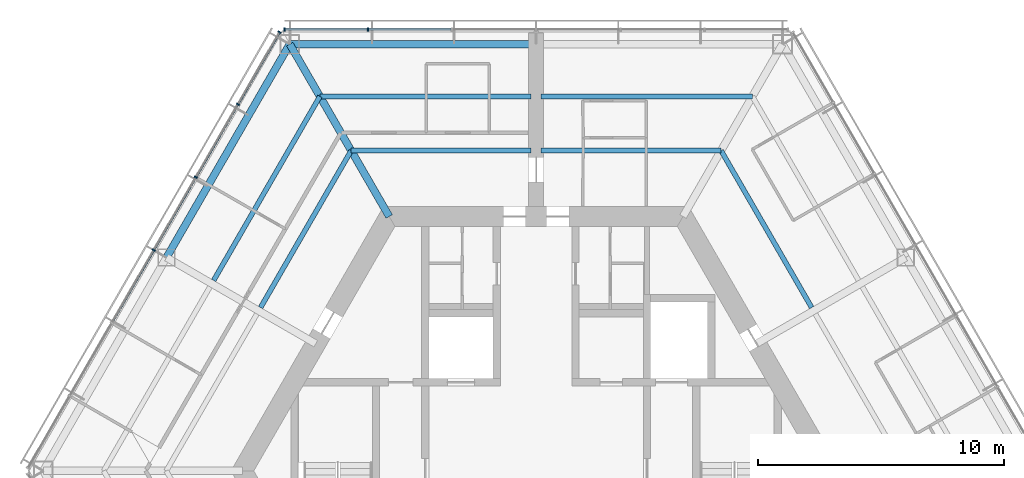
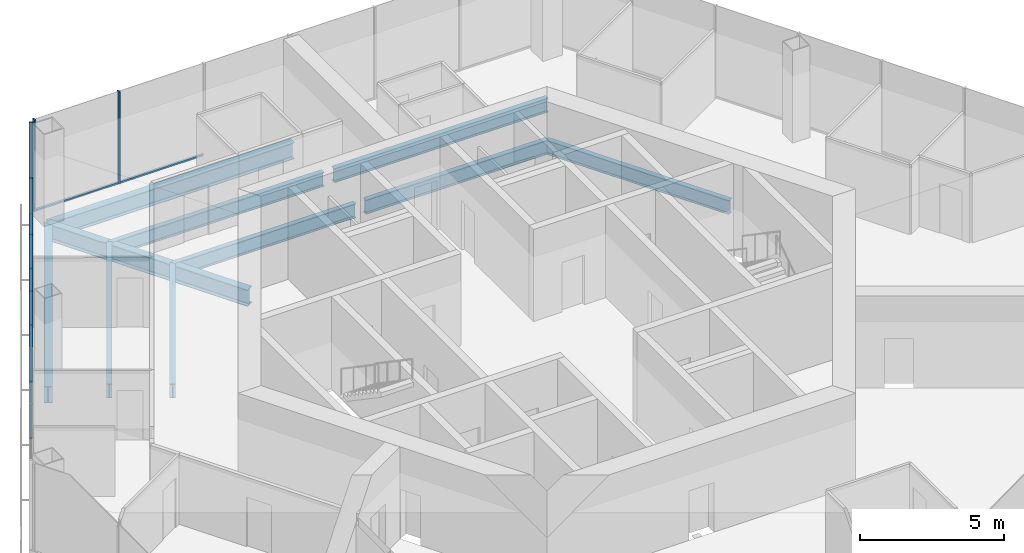
# One storey, part 6 of 16: 12 members, 10 beams, 2 elements without a shape of their own.
"""IFC4 building model written with IfcOpenShell, lengths in metres."""

from ifc_helpers import new_model, si_unit, direction, frame, origin, origin_2d, place, context, subcontext, project, spatial, rectangle, i_section, extrude, material, material_profile, profile_set, type_object, element, aggregate, save


model = new_model("IFC4")

# Units and contexts
model_context = context("Model", 3, precision=1e-05, world=origin(), true_north=direction((0.0, 1.0)))
body_context = subcontext(model_context, "Body", "Model", "MODEL_VIEW")
ifc_project = project(units=[si_unit("LENGTHUNIT", "METRE"), si_unit("AREAUNIT", "SQUARE_METRE"), si_unit("VOLUMEUNIT", "CUBIC_METRE"), si_unit("PLANEANGLEUNIT", "RADIAN"), si_unit("MASSUNIT", "GRAM", prefix="KILO")], contexts=[model_context])

# Site, building, storey
site_placement = place(None, origin())
site = spatial("IfcSite", under=ifc_project, at=site_placement, CompositionType="ELEMENT")
building_placement = place(site_placement, origin())
building = spatial("IfcBuilding", under=site, at=building_placement, Name="Kasaneha Research Tower", CompositionType="ELEMENT")
storey_placement = place(building_placement, frame((0.0, 0.0, 251.800048828125)))
storey = spatial("IfcBuildingStorey", under=building, at=storey_placement, Name="L63", CompositionType="ELEMENT", Elevation=251.800048828125)

# Beams
ifc_material_1 = material(Name="Steel SN490B", Category="steel")
ifc_material_profile_1 = material_profile(ifc_material_1, i_section(OverallWidth=0.199951171875, OverallDepth=0.60009765625, WebThickness=0.010986328125, FlangeThickness=0.01708984375, FilletRadius=0.012939453125, at=origin_2d()), Name="H-600x200x11x17")
ifc_profile_set_1 = profile_set([ifc_material_profile_1], Name="Steel SN490B")
beam_type_1 = type_object("IfcBeamType", Name="B1-3 secondary beam H-600x200x11x17", PredefinedType="JOIST", material=ifc_profile_set_1)
beam_1_placement = place(storey_placement, frame((7.505615234375, 13.0, -0.449951171875), z_axis=(0.499994443168, -0.866028611999, 0.0), x_axis=(0.866028611999, 0.499994443168, 0.0)))
element("IfcBeam", 1, at=beam_1_placement, inside=storey, type_object=beam_type_1, Name="Secondary beam RS030R1 L63", PredefinedType="JOIST", context=body_context, shape_type="SweptSolid", body=[
    extrude(i_section(OverallWidth=0.199951171875, OverallDepth=0.60009765625, WebThickness=0.010986328125, FlangeThickness=0.01708984375, FilletRadius=0.012939453125, at=origin_2d()), origin(), (0.0, 0.0, 1.0), 7.35546875),
])
beam_2_placement = place(storey_placement, frame((7.505615234375, 13.0, -0.449951171875), z_axis=(-1.0, 0.0, 0.0), x_axis=(0.0, -1.0, 0.0)))
element("IfcBeam", 2, at=beam_2_placement, inside=storey, type_object=beam_type_1, Name="Secondary beam RS090L1 L63", PredefinedType="JOIST", context=body_context, shape_type="SweptSolid", body=[
    extrude(i_section(OverallWidth=0.199951171875, OverallDepth=0.60009765625, WebThickness=0.010986328125, FlangeThickness=0.01708984375, FilletRadius=0.012939453125, at=origin_2d()), origin(), (0.0, 0.0, 1.0), 7.3056640625),
])
beam_3_placement = place(storey_placement, frame((8.775634765625, 15.199951171875, -0.449951171875), z_axis=(-1.0, 0.0, 0.0), x_axis=(0.0, -1.0, 0.0)))
element("IfcBeam", 3, at=beam_3_placement, inside=storey, type_object=beam_type_1, Name="Secondary beam RS090L2 L63", PredefinedType="JOIST", context=body_context, shape_type="SweptSolid", body=[
    extrude(i_section(OverallWidth=0.199951171875, OverallDepth=0.60009765625, WebThickness=0.010986328125, FlangeThickness=0.01708984375, FilletRadius=0.012939453125, at=origin_2d()), origin(), (0.0, 0.0, 1.0), 8.57568359375),
])
beam_4_placement = place(storey_placement, frame((-7.505615234375, 13.0, -0.449951171875), z_axis=(1.0, 0.0, 0.0), x_axis=(0.0, 1.0, 0.0)))
element("IfcBeam", 4, at=beam_4_placement, inside=storey, type_object=beam_type_1, Name="Secondary beam RS090R1 L63", PredefinedType="JOIST", context=body_context, shape_type="SweptSolid", body=[
    extrude(i_section(OverallWidth=0.199951171875, OverallDepth=0.60009765625, WebThickness=0.010986328125, FlangeThickness=0.01708984375, FilletRadius=0.012939453125, at=origin_2d()), origin(), (0.0, 0.0, 1.0), 7.3056640625),
])
beam_5_placement = place(storey_placement, frame((-8.775634765625, 15.199951171875, -0.449951171875), z_axis=(1.0, 0.0, 0.0), x_axis=(0.0, 1.0, 0.0)))
element("IfcBeam", 5, at=beam_5_placement, inside=storey, type_object=beam_type_1, Name="Secondary beam RS090R2 L63", PredefinedType="JOIST", context=body_context, shape_type="SweptSolid", body=[
    extrude(i_section(OverallWidth=0.199951171875, OverallDepth=0.60009765625, WebThickness=0.010986328125, FlangeThickness=0.01708984375, FilletRadius=0.012939453125, at=origin_2d()), origin(), (0.0, 0.0, 1.0), 8.57568359375),
])
beam_6_placement = place(storey_placement, frame((-7.505615234375, 13.0, -0.449951171875), z_axis=(-0.499994443168, -0.866028611999, 0.0), x_axis=(0.866028611999, -0.499994443168, 0.0)))
element("IfcBeam", 6, at=beam_6_placement, inside=storey, type_object=beam_type_1, Name="Secondary beam RS150L1 L63", PredefinedType="JOIST", context=body_context, shape_type="SweptSolid", body=[
    extrude(i_section(OverallWidth=0.199951171875, OverallDepth=0.60009765625, WebThickness=0.010986328125, FlangeThickness=0.01708984375, FilletRadius=0.012939453125, at=origin_2d()), origin(), (0.0, 0.0, 1.0), 7.35546875),
])
beam_7_placement = place(storey_placement, frame((-8.775634765625, 15.199951171875, -0.449951171875), z_axis=(-0.500017275495, -0.866015429543, 0.0), x_axis=(0.866015429543, -0.500017275495, 0.0)))
element("IfcBeam", 7, at=beam_7_placement, inside=storey, type_object=beam_type_1, Name="Secondary beam RS150L2 L63", PredefinedType="JOIST", context=body_context, shape_type="SweptSolid", body=[
    extrude(i_section(OverallWidth=0.199951171875, OverallDepth=0.60009765625, WebThickness=0.010986328125, FlangeThickness=0.01708984375, FilletRadius=0.012939453125, at=origin_2d()), origin(), (0.0, 0.0, 1.0), 8.625732421875),
])

# Curtain wall, members
ifc_material_2 = material(Name="Glass and aluminium", Category="aluminium")
curtain_wall_type = type_object("IfcCurtainWallType", Name="High-rise office curtain wall", PredefinedType="USERDEFINED", material=ifc_material_2)
curtain_wall_1_placement = place(storey_placement, origin())
curtain_wall_1 = element("IfcCurtainWall", 8, at=curtain_wall_1_placement, inside=storey, type_object=curtain_wall_type, Name="CW-O3 L63 run 02a", ObjectType="UNITISED CURTAIN WALL", PredefinedType="USERDEFINED")
ifc_material_3 = material(Name="Aluminium 6063-T6", Category="aluminium")
ifc_material_profile_2 = material_profile(ifc_material_3, rectangle(XDim=0.06005859375, YDim=0.139892578125, at=origin_2d()), Name="CW-O3 mullion 60x140")
ifc_profile_set_2 = profile_set([ifc_material_profile_2], Name="Aluminium 6063-T6")
member_type_1 = type_object("IfcMemberType", Name="CW-O3 mullion", PredefinedType="MULLION", material=ifc_profile_set_2)
member_1_placement = place(storey_placement, frame((-6.8310546875, 17.92041015625, 0.0), z_axis=(0.0, 0.0, 1.0), x_axis=(-1.0, 0.0, 0.0)))
member_1 = element("IfcMember", 9, at=member_1_placement, type_object=member_type_1, Name="CW-O3 mullion 6", PredefinedType="MULLION", context=body_context, shape_type="SweptSolid", body=[
    extrude(rectangle(XDim=0.06005859375, YDim=0.139892578125, at=origin_2d()), origin(), (0.0, 0.0, 1.0), 3.89990234375),
])
member_2_placement = place(storey_placement, frame((-10.21630859375, 17.92041015625, 0.0), z_axis=(0.0, 0.0, 1.0), x_axis=(-1.0, 0.0, 0.0)))
member_2 = element("IfcMember", 10, at=member_2_placement, type_object=member_type_1, Name="CW-O3 mullion 7", PredefinedType="MULLION", context=body_context, shape_type="SweptSolid", body=[
    extrude(rectangle(XDim=0.06005859375, YDim=0.139892578125, at=origin_2d()), origin(), (0.0, 0.0, 1.0), 3.89990234375),
])

curtain_wall_2_placement = place(storey_placement, origin())
curtain_wall_2 = element("IfcCurtainWall", 11, at=curtain_wall_2_placement, inside=storey, type_object=curtain_wall_type, Name="CW-O3 L63 run 03a", ObjectType="UNITISED CURTAIN WALL", PredefinedType="USERDEFINED")
member_3_placement = place(storey_placement, frame((-10.411376953125, 17.807861328125, 0.0), z_axis=(0.0, 0.0, 1.0), x_axis=(-0.499999995722, -0.866025406254, 0.0)))
member_3 = element("IfcMember", 12, at=member_3_placement, type_object=member_type_1, Name="CW-O3 mullion 1", PredefinedType="MULLION", context=body_context, shape_type="SweptSolid", body=[
    extrude(rectangle(XDim=0.06005859375, YDim=0.139892578125, at=origin_2d()), origin(), (0.0, 0.0, 1.0), 3.89990234375),
])
member_4_placement = place(storey_placement, frame((-12.104248046875, 14.8759765625, 0.0), z_axis=(0.0, 0.0, 1.0), x_axis=(-0.499999995722, -0.866025406254, 0.0)))
member_4 = element("IfcMember", 13, at=member_4_placement, type_object=member_type_1, Name="CW-O3 mullion 2", PredefinedType="MULLION", context=body_context, shape_type="SweptSolid", body=[
    extrude(rectangle(XDim=0.06005859375, YDim=0.139892578125, at=origin_2d()), origin(), (0.0, 0.0, 1.0), 3.89990234375),
])
member_5_placement = place(storey_placement, frame((-13.811767578125, 11.918212890625, 0.0), z_axis=(0.0, 0.0, 1.0), x_axis=(-0.499999995722, -0.866025406254, 0.0)))
member_5 = element("IfcMember", 14, at=member_5_placement, type_object=member_type_1, Name="CW-O3 mullion 3", PredefinedType="MULLION", context=body_context, shape_type="SweptSolid", body=[
    extrude(rectangle(XDim=0.06005859375, YDim=0.139892578125, at=origin_2d()), origin(), (0.0, 0.0, 1.0), 3.89990234375),
])
member_6_placement = place(storey_placement, frame((-15.51953125, 8.960205078125, 0.0), z_axis=(0.0, 0.0, 1.0), x_axis=(-0.499999995722, -0.866025406254, 0.0)))
member_6 = element("IfcMember", 15, at=member_6_placement, type_object=member_type_1, Name="CW-O3 mullion 4", PredefinedType="MULLION", context=body_context, shape_type="SweptSolid", body=[
    extrude(rectangle(XDim=0.06005859375, YDim=0.139892578125, at=origin_2d()), origin(), (0.0, 0.0, 1.0), 3.89990234375),
])

# Member
ifc_material_4 = material(Name="Aluminium 6063-T6", Category="aluminium")
ifc_material_profile_3 = material_profile(ifc_material_4, rectangle(XDim=0.10009765625, YDim=0.06005859375, at=origin_2d()), Name="CW-O3 transom 100x60")
ifc_profile_set_3 = profile_set([ifc_material_profile_3], Name="Aluminium 6063-T6")
member_type_2 = type_object("IfcMemberType", Name="CW-O3 transom", PredefinedType="USERDEFINED", material=ifc_profile_set_3)
member_7_placement = place(storey_placement, frame((-3.445556640625, 17.92041015625, 0.030029296875), z_axis=(-1.0, 0.0, 0.0), x_axis=(0.0, -1.0, 0.0)))
member_7 = element("IfcMember", 16, at=member_7_placement, type_object=member_type_2, Name="CW-O3 transom 5", ObjectType="TRANSOM", PredefinedType="USERDEFINED", context=body_context, shape_type="SweptSolid", body=[
    extrude(rectangle(XDim=0.10009765625, YDim=0.06005859375, at=origin_2d()), origin(), (0.0, 0.0, 1.0), 3.35546875),
])

member_8_placement = place(storey_placement, frame((-6.86083984375, 17.92041015625, 0.030029296875), z_axis=(-1.0, 0.0, 0.0), x_axis=(0.0, -1.0, 0.0)))
member_8 = element("IfcMember", 17, at=member_8_placement, type_object=member_type_2, Name="CW-O3 transom 6", ObjectType="TRANSOM", PredefinedType="USERDEFINED", context=body_context, shape_type="SweptSolid", body=[
    extrude(rectangle(XDim=0.10009765625, YDim=0.06005859375, at=origin_2d()), origin(), (0.0, 0.0, 1.0), 3.32568359375),
])

aggregate(curtain_wall_1, [member_1, member_2, member_7, member_8])

member_9_placement = place(storey_placement, frame((-10.426513671875, 17.781982421875, 0.030029296875), z_axis=(-0.49997666526, -0.866038875684, 0.0), x_axis=(0.866038875684, -0.49997666526, 0.0)))
member_9 = element("IfcMember", 18, at=member_9_placement, type_object=member_type_2, Name="CW-O3 transom 1", ObjectType="TRANSOM", PredefinedType="USERDEFINED", context=body_context, shape_type="SweptSolid", body=[
    extrude(rectangle(XDim=0.10009765625, YDim=0.06005859375, at=origin_2d()), origin(), (0.0, 0.0, 1.0), 3.325439453125),
])

member_10_placement = place(storey_placement, frame((-12.119140625, 14.85009765625, 0.030029296875), z_axis=(-0.499989072476, -0.866031712701, 0.0), x_axis=(0.866031712701, -0.499989072476, 0.0)))
member_10 = element("IfcMember", 19, at=member_10_placement, type_object=member_type_2, Name="CW-O3 transom 2", ObjectType="TRANSOM", PredefinedType="USERDEFINED", context=body_context, shape_type="SweptSolid", body=[
    extrude(rectangle(XDim=0.10009765625, YDim=0.06005859375, at=origin_2d()), origin(), (0.0, 0.0, 1.0), 3.35546875),
])

member_11_placement = place(storey_placement, frame((-13.826904296875, 11.89208984375, 0.030029296875), z_axis=(-0.500020578564, -0.866013522419, 0.0), x_axis=(0.866013522419, -0.500020578564, 0.0)))
member_11 = element("IfcMember", 20, at=member_11_placement, type_object=member_type_2, Name="CW-O3 transom 3", ObjectType="TRANSOM", PredefinedType="USERDEFINED", context=body_context, shape_type="SweptSolid", body=[
    extrude(rectangle(XDim=0.10009765625, YDim=0.06005859375, at=origin_2d()), origin(), (0.0, 0.0, 1.0), 3.355224609375),
])

member_12_placement = place(storey_placement, frame((-15.53466796875, 8.934326171875, 0.030029296875), z_axis=(-0.499989072476, -0.866031712701, 0.0), x_axis=(0.866031712701, -0.499989072476, 0.0)))
member_12 = element("IfcMember", 21, at=member_12_placement, type_object=member_type_2, Name="CW-O3 transom 4", ObjectType="TRANSOM", PredefinedType="USERDEFINED", context=body_context, shape_type="SweptSolid", body=[
    extrude(rectangle(XDim=0.10009765625, YDim=0.06005859375, at=origin_2d()), origin(), (0.0, 0.0, 1.0), 3.35546875),
])

aggregate(curtain_wall_2, [member_3, member_4, member_5, member_6, member_9, member_10, member_11, member_12])

# Beams
ifc_material_5 = material(Name="Steel SN490B", Category="steel")
ifc_material_profile_4 = material_profile(ifc_material_5, i_section(OverallWidth=0.300048828125, OverallDepth=0.699951171875, WebThickness=0.012939453125, FlangeThickness=0.02392578125, FilletRadius=0.01806640625, at=origin_2d()), Name="H-700x300x13x24")
ifc_profile_set_4 = profile_set([ifc_material_profile_4], Name="Steel SN490B")
beam_type_2 = type_object("IfcBeamType", Name="G1-3 radial girder H-700x300x13x24", PredefinedType="BEAM", material=ifc_profile_set_4)
beam_8_placement = place(storey_placement, frame((-5.961181640625, 10.324951171875, -0.5), z_axis=(-0.49999105496, 0.866030568144, 0.0), x_axis=(-0.866030568144, -0.49999105496, 0.0)))
element("IfcBeam", 22, at=beam_8_placement, inside=storey, type_object=beam_type_2, Name="Radial girder RV120 L63", PredefinedType="BEAM", context=body_context, shape_type="SweptSolid", body=[
    extrude(i_section(OverallWidth=0.300048828125, OverallDepth=0.699951171875, WebThickness=0.012939453125, FlangeThickness=0.02392578125, FilletRadius=0.01806640625, at=origin_2d()), origin(), (0.0, 0.0, 1.0), 8.077880859375),
])
ifc_material_6 = material(Name="Steel SN490B", Category="steel")
ifc_material_profile_5 = material_profile(ifc_material_6, i_section(OverallWidth=0.300048828125, OverallDepth=0.69189453125, WebThickness=0.012939453125, FlangeThickness=0.02001953125, FilletRadius=0.01806640625, at=origin_2d()), Name="H-692x300x13x20")
ifc_profile_set_5 = profile_set([ifc_material_profile_5], Name="Steel SN490B")
beam_type_3 = type_object("IfcBeamType", Name="G3-3 plate edge girder H-692x300x13x20", PredefinedType="BEAM", material=ifc_profile_set_5)
beam_9_placement = place(storey_placement, frame((-10.0, 17.320556640625, -0.49609375), z_axis=(1.0, 0.0, 0.0), x_axis=(0.0, 1.0, 0.0)))
element("IfcBeam", 23, at=beam_9_placement, inside=storey, type_object=beam_type_3, Name="Plate edge girder PEAN L63", PredefinedType="BEAM", context=body_context, shape_type="SweptSolid", body=[
    extrude(i_section(OverallWidth=0.300048828125, OverallDepth=0.69189453125, WebThickness=0.012939453125, FlangeThickness=0.02001953125, FilletRadius=0.01806640625, at=origin_2d()), origin(), (0.0, 0.0, 1.0), 9.800048828125),
])
ifc_material_7 = material(Name="Steel SN490B", Category="steel")
ifc_material_profile_6 = material_profile(ifc_material_7, i_section(OverallWidth=0.300048828125, OverallDepth=0.69189453125, WebThickness=0.012939453125, FlangeThickness=0.02001953125, FilletRadius=0.01806640625, at=origin_2d()), Name="H-692x300x13x20")
ifc_profile_set_6 = profile_set([ifc_material_profile_6], Name="Steel SN490B")
beam_type_4 = type_object("IfcBeamType", Name="SB1-3 spandrel beam H-692x300x13x20", PredefinedType="SPANDREL", material=ifc_profile_set_6)
beam_10_placement = place(storey_placement, frame((-10.0, 17.320556640625, -0.49609375), z_axis=(-0.499993662806, -0.866029062534, 0.0), x_axis=(0.866029062534, -0.499993662806, 0.0)))
element("IfcBeam", 24, at=beam_10_placement, inside=storey, type_object=beam_type_4, Name="Spandrel beam SR150L L63", PredefinedType="SPANDREL", context=body_context, shape_type="SweptSolid", body=[
    extrude(i_section(OverallWidth=0.300048828125, OverallDepth=0.69189453125, WebThickness=0.012939453125, FlangeThickness=0.02001953125, FilletRadius=0.01806640625, at=origin_2d()), origin(), (0.0, 0.0, 1.0), 10.000244140625),
])

save(model, "model.ifc")
